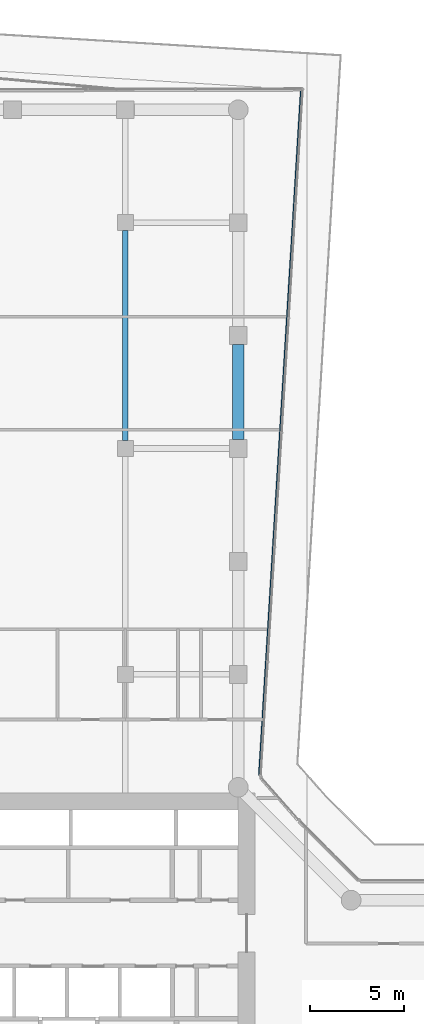
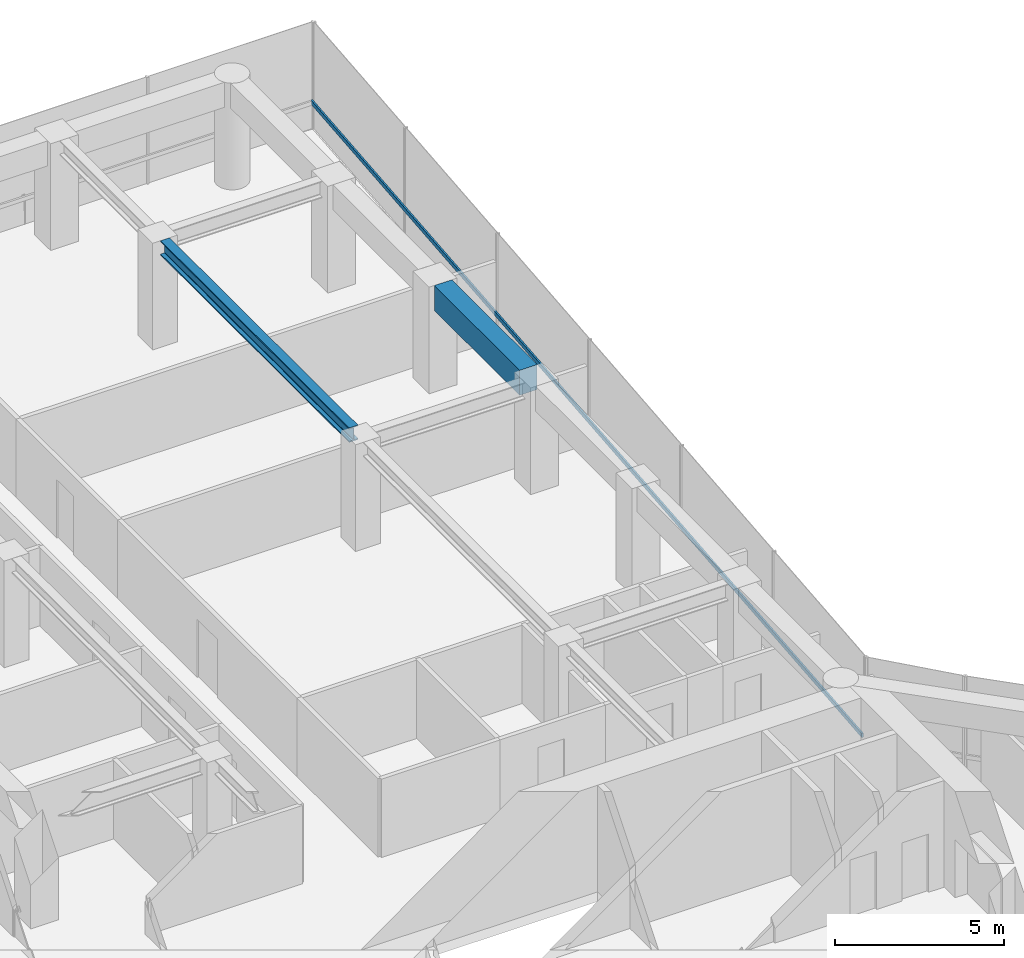
# One storey, part 16 of 27: 2 beams, 1 member, 1 element without a shape of its own.
"""IFC4 building model written with IfcOpenShell, lengths in metres."""

from ifc_helpers import new_model, si_unit, direction, frame, origin, origin_2d, place, context, subcontext, project, spatial, rectangle, i_section, extrude, material, layer, layer_set, material_profile, profile_set, type_object, element, aggregate, save


model = new_model("IFC4")

# Units and contexts
model_context = context("Model", 3, precision=1e-05, world=origin(), true_north=direction((0.0, 1.0)))
body_context = subcontext(model_context, "Body", "Model", "MODEL_VIEW")
ifc_project = project(units=[si_unit("LENGTHUNIT", "METRE"), si_unit("AREAUNIT", "SQUARE_METRE"), si_unit("VOLUMEUNIT", "CUBIC_METRE"), si_unit("PLANEANGLEUNIT", "RADIAN"), si_unit("MASSUNIT", "GRAM", prefix="KILO")], contexts=[model_context])

# Site, building, storey
site_placement = place(None, origin())
site = spatial("IfcSite", under=ifc_project, at=site_placement, CompositionType="ELEMENT")
building_placement = place(site_placement, origin())
building = spatial("IfcBuilding", under=site, at=building_placement, Name="Welwitschia Terrace Campus", CompositionType="ELEMENT")
storey_placement = place(building_placement, frame((0.0, 0.0, 37.39990234375)))
storey = spatial("IfcBuildingStorey", under=building, at=storey_placement, Name="L08", CompositionType="ELEMENT", Elevation=37.39990234375)

# Beams
ifc_material_1 = material(Name="Steel S355", Category="steel")
ifc_material_profile_1 = material_profile(ifc_material_1, i_section(OverallWidth=0.305908203125, OverallDepth=0.52392578125, WebThickness=0.02099609375, FlangeThickness=0.0400390625, FilletRadius=0.027099609375, at=origin_2d()))
ifc_profile_set_1 = profile_set([ifc_material_profile_1], Name="Steel S355")
beam_type_1 = type_object("IfcBeamType", Name="Interior girder HE 500 M", PredefinedType="BEAM", material=ifc_profile_set_1)
beam_1_placement = place(storey_placement, frame((18.0, 44.425537109375, 3.588134765625), z_axis=(0.0, 1.0, 0.0), x_axis=(-1.0, 0.0, 0.0)))
element("IfcBeam", 1, at=beam_1_placement, inside=storey, type_object=beam_type_1, Name="Girder GB2", PredefinedType="BEAM", context=body_context, shape_type="SweptSolid", body=[
    extrude(i_section(OverallWidth=0.305908203125, OverallDepth=0.52392578125, WebThickness=0.02099609375, FlangeThickness=0.0400390625, FilletRadius=0.027099609375, at=origin_2d()), origin(), (0.0, 0.0, 1.0), 11.14892578125),
])
ifc_material_2 = material(Name="Concrete C60/75", Category="concrete")
ifc_material_profile_2 = material_profile(ifc_material_2, rectangle(XDim=0.60009765625, YDim=0.89990234375, at=origin_2d()))
ifc_profile_set_2 = profile_set([ifc_material_profile_2], Name="Concrete C60/75")
beam_type_2 = type_object("IfcBeamType", Name="Ring spandrel 600x900", PredefinedType="SPANDREL", material=ifc_profile_set_2)
beam_2_placement = place(storey_placement, frame((24.0, 44.4755859375, 3.400146484375), z_axis=(0.0, 1.0, 0.0), x_axis=(-1.0, 0.0, 0.0)))
element("IfcBeam", 2, at=beam_2_placement, inside=storey, type_object=beam_type_2, Name="Spandrel SP2", PredefinedType="SPANDREL", context=body_context, shape_type="SweptSolid", body=[
    extrude(rectangle(XDim=0.60009765625, YDim=0.89990234375, at=origin_2d()), origin(), (0.0, 0.0, 1.0), 5.048828125),
])

# Curtain wall, member
ifc_material_3 = material(Name="Bronze anodised aluminium", Category="aluminium")
ifc_layer = layer(ifc_material_3, 0.1201171875)
ifc_layer_set = layer_set([ifc_layer], Name="Bronze anodised aluminium")
curtain_wall_type = type_object("IfcCurtainWallType", Name="Curtain wall CW2 tower 6000", PredefinedType="NOTDEFINED", material=ifc_layer_set)
curtain_wall_placement = place(storey_placement, origin())
curtain_wall = element("IfcCurtainWall", 3, at=curtain_wall_placement, inside=storey, type_object=curtain_wall_type, Name="CW L08.11.0", PredefinedType="NOTDEFINED")
ifc_material_4 = material(Name="Bronze anodised aluminium", Category="aluminium")
ifc_material_profile_3 = material_profile(ifc_material_4, rectangle(XDim=0.06005859375, YDim=0.14990234375, at=origin_2d()))
ifc_profile_set_3 = profile_set([ifc_material_profile_3], Name="Bronze anodised aluminium")
member_type = type_object("IfcMemberType", Name="Transom 60x150", PredefinedType="USERDEFINED", material=ifc_profile_set_3)
member_placement = place(storey_placement, frame((25.107421875, 26.634521484375, 1.0), z_axis=(0.061049000482, 0.998134770229, 0.0), x_axis=(-0.998134770229, 0.061049000482, 0.0)))
member = element("IfcMember", 4, at=member_placement, type_object=member_type, Name="Transom L08.11.0", ObjectType="TRANSOM", PredefinedType="USERDEFINED", context=body_context, shape_type="SweptSolid", body=[
    extrude(rectangle(XDim=0.06005859375, YDim=0.14990234375, at=origin_2d()), origin(), (0.0, 0.0, 1.0), 36.499755859375),
])
aggregate(curtain_wall, [member])

save(model, "model.ifc")
